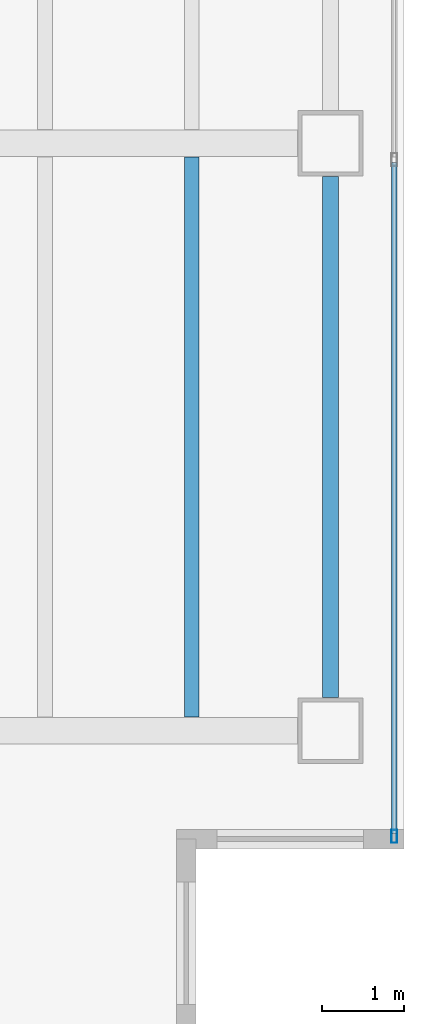
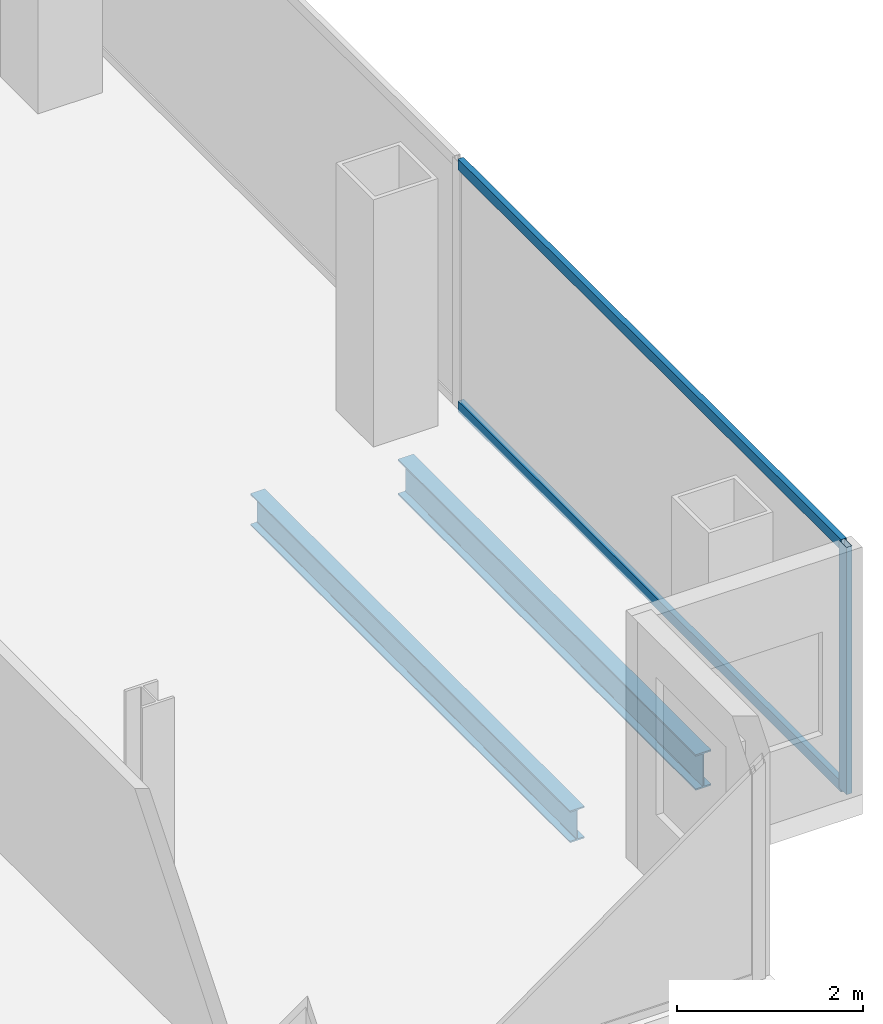
# One storey, part 12 of 23: 3 members, 2 beams, 1 element without a shape of its own.
"""IFC4 building model written with IfcOpenShell, lengths in metres."""

from ifc_helpers import new_model, si_unit, direction, frame, origin, origin_2d, place, context, subcontext, project, spatial, hollow_rectangle, i_section, extrude, material, material_profile, profile_set, type_object, element, aggregate, save


model = new_model("IFC4")

# Units and contexts
model_context = context("Model", 3, precision=1e-05, world=origin(), true_north=direction((0.0, 1.0)))
body_context = subcontext(model_context, "Body", "Model", "MODEL_VIEW")
ifc_project = project(units=[si_unit("LENGTHUNIT", "METRE"), si_unit("AREAUNIT", "SQUARE_METRE"), si_unit("VOLUMEUNIT", "CUBIC_METRE"), si_unit("PLANEANGLEUNIT", "RADIAN"), si_unit("MASSUNIT", "GRAM", prefix="KILO")], contexts=[model_context])

# Site, building, storey
site_placement = place(None, origin())
site = spatial("IfcSite", under=ifc_project, at=site_placement, CompositionType="ELEMENT")
building_placement = place(site_placement, origin())
building = spatial("IfcBuilding", under=site, at=building_placement, Name="Cobrela Telecom Tower", CompositionType="ELEMENT")
storey_placement = place(building_placement, frame((0.0, 0.0, 190.75)))
storey = spatial("IfcBuildingStorey", under=building, at=storey_placement, Name="L48", CompositionType="ELEMENT", Elevation=190.75)

# Beams
ifc_material_1 = material(Name="Steel ASTM A992 Grade 50", Category="steel")
ifc_material_profile_1 = material_profile(ifc_material_1, i_section(OverallWidth=0.179931640625, OverallDepth=0.4169921875, WebThickness=0.010986328125, FlangeThickness=0.01806640625, FilletRadius=0.011962890625, at=origin_2d()), Name="W16X57")
ifc_profile_set_1 = profile_set([ifc_material_profile_1], Name="Steel ASTM A992 Grade 50")
beam_type_1 = type_object("IfcBeamType", Name="BM-JOIST-04", PredefinedType="JOIST", material=ifc_profile_set_1)
beam_1_placement = place(storey_placement, frame((41.39990234375, 7.368896484375, -0.468505859375), z_axis=(0.0, 1.0, 0.0), x_axis=(-1.0, 0.0, 0.0)))
element("IfcBeam", 1, at=beam_1_placement, inside=storey, type_object=beam_type_1, Name="L48 Secondary Composite Floor Beam J29", PredefinedType="JOIST", context=body_context, shape_type="SweptSolid", body=[
    extrude(i_section(OverallWidth=0.179931640625, OverallDepth=0.4169921875, WebThickness=0.010986328125, FlangeThickness=0.01806640625, FilletRadius=0.011962890625, at=origin_2d()), origin(), (0.0, 0.0, 1.0), 6.862060546875),
])
ifc_material_profile_2 = material_profile(ifc_material_1, i_section(OverallWidth=0.193115234375, OverallDepth=0.467041015625, WebThickness=0.011474609375, FlangeThickness=0.01904296875, FilletRadius=0.012939453125, at=origin_2d()), Name="W18X65")
ifc_profile_set_2 = profile_set([ifc_material_profile_2], Name="Steel ASTM A992 Grade 50")
beam_type_2 = type_object("IfcBeamType", Name="BM-SPAND-05", PredefinedType="SPANDREL", material=ifc_profile_set_2)
beam_2_placement = place(storey_placement, frame((43.10009765625, 7.60498046875, -0.493408203125), z_axis=(0.0, 1.0, 0.0), x_axis=(-1.0, 0.0, 0.0)))
element("IfcBeam", 2, at=beam_2_placement, inside=storey, type_object=beam_type_2, Name="L48 Perimeter Spandrel Y42", PredefinedType="SPANDREL", context=body_context, shape_type="SweptSolid", body=[
    extrude(i_section(OverallWidth=0.193115234375, OverallDepth=0.467041015625, WebThickness=0.011474609375, FlangeThickness=0.01904296875, FilletRadius=0.012939453125, at=origin_2d()), origin(), (0.0, 0.0, 1.0), 6.39013671875),
])

# Curtain wall, members
ifc_material_2 = material(Name="Anodized Bronze Aluminium 6063-T6", Category="aluminium")
curtain_wall_type = type_object("IfcCurtainWallType", Name="CW-SYS-OFF-LO", PredefinedType="USERDEFINED", material=ifc_material_2)
curtain_wall_placement = place(storey_placement, origin())
curtain_wall = element("IfcCurtainWall", 3, at=curtain_wall_placement, inside=storey, type_object=curtain_wall_type, Name="L48 Unitised Bronze Curtain Wall 14", ObjectType="UNITISED CURTAIN WALL", PredefinedType="USERDEFINED")
ifc_material_profile_3 = material_profile(ifc_material_2, hollow_rectangle(XDim=0.070068359375, YDim=0.159912109375, WallThickness=0.00390625, at=origin_2d()), Name="ALU 70x160x4")
ifc_profile_set_3 = profile_set([ifc_material_profile_3], Name="Anodized Bronze Aluminium 6063-T6")
member_type_1 = type_object("IfcMemberType", Name="CW-SYS-OFF-LO-MUL", PredefinedType="MULLION", material=ifc_profile_set_3)
member_1_placement = place(storey_placement, frame((43.8798828125, 5.905029296875, 0.0), z_axis=(0.0, 0.0, 1.0), x_axis=(1.0, 0.0, 0.0)))
member_1 = element("IfcMember", 4, at=member_1_placement, type_object=member_type_1, Name="CW-OFF-LO mullion 3", PredefinedType="MULLION", context=body_context, shape_type="SweptSolid", body=[
    extrude(hollow_rectangle(XDim=0.070068359375, YDim=0.159912109375, WallThickness=0.00390625, at=origin_2d()), origin(), (0.0, 0.0, 1.0), 3.239990234375),
])
ifc_material_profile_4 = material_profile(ifc_material_2, hollow_rectangle(XDim=0.070068359375, YDim=0.139892578125, WallThickness=0.00390625, at=origin_2d()), Name="ALU 70x140x4")
ifc_profile_set_4 = profile_set([ifc_material_profile_4], Name="Anodized Bronze Aluminium 6063-T6")
member_type_2 = type_object("IfcMemberType", Name="CW-SYS-OFF-LO-TRN", PredefinedType="USERDEFINED", material=ifc_profile_set_4)
member_2_placement = place(storey_placement, frame((43.8798828125, 14.1650390625, 0.034912109375), z_axis=(0.0, -1.0, 0.0), x_axis=(1.0, 0.0, 0.0)))
member_2 = element("IfcMember", 5, at=member_2_placement, type_object=member_type_2, Name="CW-OFF-LO transom 2.1", ObjectType="TRANSOM", PredefinedType="USERDEFINED", context=body_context, shape_type="SweptSolid", body=[
    extrude(hollow_rectangle(XDim=0.070068359375, YDim=0.139892578125, WallThickness=0.00390625, at=origin_2d()), origin(), (0.0, 0.0, 1.0), 8.22509765625),
])
member_3_placement = place(storey_placement, frame((43.8798828125, 14.1650390625, 3.205078125), z_axis=(0.0, -1.0, 0.0), x_axis=(1.0, 0.0, 0.0)))
member_3 = element("IfcMember", 6, at=member_3_placement, type_object=member_type_2, Name="CW-OFF-LO transom 2.2", ObjectType="TRANSOM", PredefinedType="USERDEFINED", context=body_context, shape_type="SweptSolid", body=[
    extrude(hollow_rectangle(XDim=0.070068359375, YDim=0.139892578125, WallThickness=0.00390625, at=origin_2d()), origin(), (0.0, 0.0, 1.0), 8.22509765625),
])
aggregate(curtain_wall, [member_1, member_2, member_3])

save(model, "model.ifc")
